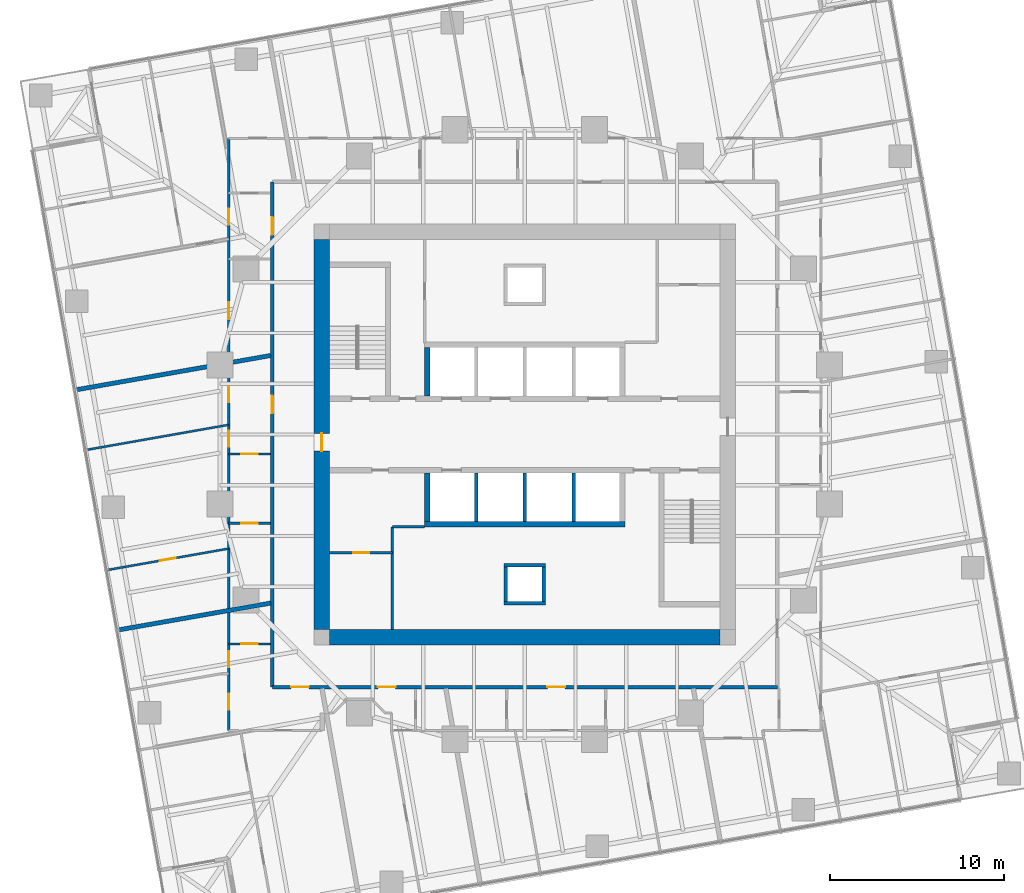
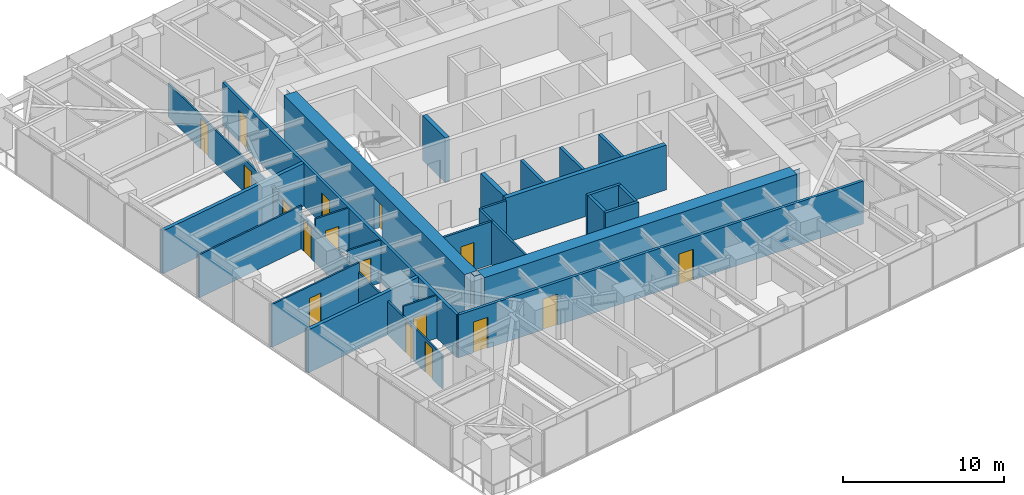
# One storey, part 9 of 14: 25 walls, 17 doors, 17 openings.
"""IFC4 building model written with IfcOpenShell, lengths in metres."""

from ifc_helpers import new_model, si_unit, direction, frame, frame_2d, origin, place, context, subcontext, project, spatial, polyline, rectangle, outline, extrude, material, layer, layer_set, type_object, element, fill, save


model = new_model("IFC4")

# Units and contexts
model_context = context("Model", 3, precision=1e-05, world=origin(), true_north=direction((0.0, 1.0)))
body_context = subcontext(model_context, "Body", "Model", "MODEL_VIEW")
ifc_project = project(units=[si_unit("LENGTHUNIT", "METRE"), si_unit("AREAUNIT", "SQUARE_METRE"), si_unit("VOLUMEUNIT", "CUBIC_METRE"), si_unit("PLANEANGLEUNIT", "RADIAN"), si_unit("MASSUNIT", "GRAM", prefix="KILO")], contexts=[model_context])

# Site, building, storey
site_placement = place(None, origin())
site = spatial("IfcSite", under=ifc_project, at=site_placement, CompositionType="ELEMENT")
building_placement = place(site_placement, origin())
building = spatial("IfcBuilding", under=site, at=building_placement, Name="Torsade Residences", CompositionType="ELEMENT")
storey_placement = place(building_placement, frame((0.0, 0.0, 82.800048828125)))
storey = spatial("IfcBuildingStorey", under=building, at=storey_placement, Name="L22", CompositionType="ELEMENT", Elevation=82.800048828125)

# Walls
ifc_material_1 = material(Name="Concrete 80 MPa", Category="concrete")
ifc_layer_1 = layer(ifc_material_1, 0.300048828125)
ifc_layer_set_1 = layer_set([ifc_layer_1], Name="Concrete 80 MPa")
wall_type_1 = type_object("IfcWallType", Name="CORE INTERNAL WALL 300", PredefinedType="SHEAR", material=ifc_layer_set_1)
wall_1_placement = place(storey_placement, frame((45.75, 24.85009765625, 0.0), z_axis=(0.0, 0.0, 1.0), x_axis=(-1.0, 0.0, 0.0)))
element("IfcWall", 1, at=wall_1_placement, inside=storey, type_object=wall_type_1, Name="Core wall BS L22", PredefinedType="SHEAR", context=body_context, shape_type="SweptSolid", body=[
    extrude(rectangle(XDim=11.5, YDim=0.300048828125, at=frame_2d((5.75, 0.0))), origin(), (0.0, 0.0, 1.0), 3.39990234375),
])
for number, where, z_axis, x_axis, name in (
    (2, (34.39990234375, 32.199951171875, 0.0), (0.0, 0.0, 1.0), (0.0, 1.0, 0.0), "Core wall DN0 L22"),
    (3, (34.39990234375, 27.800048828125, 0.0), (0.0, 0.0, 1.0), (0.0, -1.0, 0.0), "Core wall DS4 L22"),
):
    element("IfcWall", number, at=place(storey_placement, frame(where, z_axis=z_axis, x_axis=x_axis)), inside=storey, type_object=wall_type_1, Name=name, PredefinedType="SHEAR", context=body_context, shape_type="SweptSolid", body=[
        extrude(rectangle(XDim=2.800048828125, YDim=0.300048828125, at=frame_2d((1.39990234375, 0.0))), origin(), (0.0, 0.0, 1.0), 3.39990234375),
    ])
ifc_material_2 = material(Name="Concrete 80 MPa", Category="concrete")
ifc_layer_2 = layer(ifc_material_2, 0.89990234375)
ifc_layer_set_2 = layer_set([ifc_layer_2], Name="Concrete 80 MPa")
wall_type_2 = type_object("IfcWallType", Name="CORE WALL 900", PredefinedType="SHEAR", material=ifc_layer_set_2)
wall_2_placement = place(storey_placement, frame((51.199951171875, 18.35009765625, 0.0), z_axis=(0.0, 0.0, 1.0), x_axis=(-1.0, 0.0, 0.0)))
element("IfcWall", 4, at=wall_2_placement, inside=storey, type_object=wall_type_2, Name="Core wall S L22", PredefinedType="SHEAR", context=body_context, shape_type="SweptSolid", body=[
    extrude(outline(polyline([(0.0, -0.449951171875), (22.39990234375, -0.449951171875), (22.39990234375, -0.02490234375), (22.849853515625, -0.02490234375), (22.849853515625, 0.02490234375), (22.39990234375, 0.02490234375), (22.39990234375, 0.449951171875), (0.0, 0.449951171875), (0.0, 0.02490234375), (-0.449951171875, 0.02490234375), (-0.449951171875, -0.02490234375), (0.0, -0.02490234375), (0.0, -0.449951171875)])), origin(), (0.0, 0.0, 1.0), 3.39990234375),
])

# Wall, opening, door
wall_3_placement = place(storey_placement, frame((28.35009765625, 41.199951171875, 0.0), z_axis=(0.0, 0.0, 1.0), x_axis=(0.0, -1.0, 0.0)))
wall_3 = element("IfcWall", 5, at=wall_3_placement, inside=storey, type_object=wall_type_2, Name="Core wall W L22", PredefinedType="SHEAR", context=body_context, shape_type="SweptSolid", body=[
    extrude(outline(polyline([(0.0, -0.449951171875), (22.39990234375, -0.449951171875), (22.39990234375, -0.02490234375), (22.849853515625, -0.02490234375), (22.849853515625, 0.02490234375), (22.39990234375, 0.02490234375), (22.39990234375, 0.449951171875), (0.0, 0.449951171875), (0.0, 0.02490234375), (-0.449951171875, 0.02490234375), (-0.449951171875, -0.02490234375), (0.0, -0.02490234375), (0.0, -0.449951171875)])), origin(), (0.0, 0.0, 1.0), 3.39990234375),
])
opening_1_placement = place(wall_3_placement, frame((11.139892578125, 0.0, 0.0)))
opening_1 = element("IfcOpeningElement", 6, at=opening_1_placement, cuts=wall_3, Name="Opening D04", PredefinedType="OPENING", context=body_context, shape_type="SweptSolid", body=[
    extrude(rectangle(XDim=1.02001953125, YDim=2.39990234375, at=frame_2d((0.510009765625, 1.199951171875))), frame((0.0, 0.4599609375, 0.0), z_axis=(0.0, -1.0, 0.0), x_axis=(1.0, 0.0, 0.0)), (0.0, 0.0, 1.0), 0.919921875),
])
ifc_material_3 = material(Name="Steel-framed fire door", Category="steel")
door_type_1 = type_object("IfcDoorType", Name="LOBBY SMOKE DOOR 1020x2400", OperationType="NOTDEFINED", PredefinedType="DOOR", material=ifc_material_3)
door_1_placement = place(opening_1_placement, origin())
door_1 = element("IfcDoor", 7, at=door_1_placement, inside=storey, type_object=door_type_1, Name="Lift lobby door W L22", OperationType="SINGLE_SWING_RIGHT", OverallHeight=2.39990234375, OverallWidth=1.02001953125, PredefinedType="DOOR", context=body_context, shape_type="SweptSolid", body=[
    extrude(rectangle(XDim=1.02001953125, YDim=2.39990234375, at=frame_2d((0.510009765625, 1.199951171875))), frame((0.0, 0.02490234375, 0.0), z_axis=(0.0, -1.0, 0.0), x_axis=(1.0, 0.0, 0.0)), (0.0, 0.0, 1.0), 0.050048828125),
])
fill(opening_1, door_1)

# Wall, openings, doors
ifc_material_4 = material(Name="Plasterboard on steel stud", Category="steel")
ifc_layer_3 = layer(ifc_material_4, 0.199951171875)
ifc_layer_set_3 = layer_set([ifc_layer_3], Name="Plasterboard on steel stud")
wall_type_3 = type_object("IfcWallType", Name="CORRIDOR WALL 200", PredefinedType="PARTITIONING", material=ifc_layer_set_3)
wall_4_placement = place(storey_placement, frame((25.5, 15.5, 0.0), z_axis=(0.0, 0.0, 1.0), x_axis=(1.0, 0.0, 0.0)))
wall_4 = element("IfcWall", 8, at=wall_4_placement, inside=storey, type_object=wall_type_3, Name="Corridor wall L22", PredefinedType="PARTITIONING", context=body_context, shape_type="SweptSolid", body=[
    extrude(rectangle(XDim=29.0, YDim=0.199951171875, at=frame_2d((14.5, 0.0))), origin(), (0.0, 0.0, 1.0), 3.25),
])
opening_2_placement = place(wall_4_placement, frame((15.79443359375, 0.0, 0.0)))
opening_2 = element("IfcOpeningElement", 9, at=opening_2_placement, cuts=wall_4, Name="Opening D01", PredefinedType="OPENING", context=body_context, shape_type="SweptSolid", body=[
    extrude(rectangle(XDim=1.02001953125, YDim=2.340087890625, at=frame_2d((0.510009765625, 1.169921875))), frame((0.0, 0.10986328125, 0.0), z_axis=(0.0, -1.0, 0.0), x_axis=(1.0, 0.0, 0.0)), (0.0, 0.0, 1.0), 0.219970703125),
])
opening_3_placement = place(wall_4_placement, frame((6.0673828125, 0.0, 0.0)))
opening_3 = element("IfcOpeningElement", 10, at=opening_3_placement, cuts=wall_4, Name="Opening D01", PredefinedType="OPENING", context=body_context, shape_type="SweptSolid", body=[
    extrude(rectangle(XDim=1.02001953125, YDim=2.340087890625, at=frame_2d((0.510009765625, 1.169921875))), frame((0.0, 0.10986328125, 0.0), z_axis=(0.0, -1.0, 0.0), x_axis=(1.0, 0.0, 0.0)), (0.0, 0.0, 1.0), 0.219970703125),
])
opening_4_placement = place(wall_4_placement, frame((1.07861328125, 0.0, 0.0)))
opening_4 = element("IfcOpeningElement", 11, at=opening_4_placement, cuts=wall_4, Name="Opening D01", PredefinedType="OPENING", context=body_context, shape_type="SweptSolid", body=[
    extrude(rectangle(XDim=1.02001953125, YDim=2.340087890625, at=frame_2d((0.510009765625, 1.169921875))), frame((0.0, 0.10986328125, 0.0), z_axis=(0.0, -1.0, 0.0), x_axis=(1.0, 0.0, 0.0)), (0.0, 0.0, 1.0), 0.219970703125),
])
ifc_material_5 = material(Name="Solid-core timber fire door", Category="wood")
door_type_2 = type_object("IfcDoorType", Name="APARTMENT ENTRY DOOR 1020x2340", OperationType="NOTDEFINED", PredefinedType="DOOR", material=ifc_material_5)
door_2_placement = place(opening_2_placement, origin())
door_2 = element("IfcDoor", 12, at=door_2_placement, inside=storey, type_object=door_type_2, Name="Door Residential corridor to Kitchen and dining", OperationType="SINGLE_SWING_LEFT", OverallHeight=2.340087890625, OverallWidth=1.02001953125, PredefinedType="DOOR", context=body_context, shape_type="SweptSolid", body=[
    extrude(rectangle(XDim=1.02001953125, YDim=2.340087890625, at=frame_2d((0.510009765625, 1.169921875))), frame((0.0, 0.02490234375, 0.0), z_axis=(0.0, -1.0, 0.0), x_axis=(1.0, 0.0, 0.0)), (0.0, 0.0, 1.0), 0.050048828125),
])
fill(opening_2, door_2)
door_3_placement = place(opening_3_placement, origin())
door_3 = element("IfcDoor", 13, at=door_3_placement, inside=storey, type_object=door_type_2, Name="Door Residential corridor to Kitchen and dining", OperationType="SINGLE_SWING_RIGHT", OverallHeight=2.340087890625, OverallWidth=1.02001953125, PredefinedType="DOOR", context=body_context, shape_type="SweptSolid", body=[
    extrude(rectangle(XDim=1.02001953125, YDim=2.340087890625, at=frame_2d((0.510009765625, 1.169921875))), frame((0.0, 0.02490234375, 0.0), z_axis=(0.0, -1.0, 0.0), x_axis=(1.0, 0.0, 0.0)), (0.0, 0.0, 1.0), 0.050048828125),
])
fill(opening_3, door_3)
door_4_placement = place(opening_4_placement, origin())
door_4 = element("IfcDoor", 14, at=door_4_placement, inside=storey, type_object=door_type_2, Name="Door Residential corridor to Kitchen and dining", OperationType="SINGLE_SWING_LEFT", OverallHeight=2.340087890625, OverallWidth=1.02001953125, PredefinedType="DOOR", context=body_context, shape_type="SweptSolid", body=[
    extrude(rectangle(XDim=1.02001953125, YDim=2.340087890625, at=frame_2d((0.510009765625, 1.169921875))), frame((0.0, 0.02490234375, 0.0), z_axis=(0.0, -1.0, 0.0), x_axis=(1.0, 0.0, 0.0)), (0.0, 0.0, 1.0), 0.050048828125),
])
fill(opening_4, door_4)

wall_5_placement = place(storey_placement, frame((25.5, 44.5, 0.0), z_axis=(0.0, 0.0, 1.0), x_axis=(0.0, -1.0, 0.0)))
wall_5 = element("IfcWall", 15, at=wall_5_placement, inside=storey, type_object=wall_type_3, Name="Corridor wall L22", PredefinedType="PARTITIONING", context=body_context, shape_type="SweptSolid", body=[
    extrude(rectangle(XDim=29.0, YDim=0.199951171875, at=frame_2d((14.5, 0.0))), origin(), (0.0, 0.0, 1.0), 3.25),
])
opening_5_placement = place(wall_5_placement, frame((12.262939453125, 0.0, 0.0)))
opening_5 = element("IfcOpeningElement", 16, at=opening_5_placement, cuts=wall_5, Name="Opening D01", PredefinedType="OPENING", context=body_context, shape_type="SweptSolid", body=[
    extrude(rectangle(XDim=1.02001953125, YDim=2.340087890625, at=frame_2d((0.510009765625, 1.169921875))), frame((0.0, 0.10986328125, 0.0), z_axis=(0.0, -1.0, 0.0), x_axis=(1.0, 0.0, 0.0)), (0.0, 0.0, 1.0), 0.219970703125),
])
opening_6_placement = place(wall_5_placement, frame((2.01806640625, 0.0, 0.0)))
opening_6 = element("IfcOpeningElement", 17, at=opening_6_placement, cuts=wall_5, Name="Opening D01", PredefinedType="OPENING", context=body_context, shape_type="SweptSolid", body=[
    extrude(rectangle(XDim=1.02001953125, YDim=2.340087890625, at=frame_2d((0.510009765625, 1.169921875))), frame((0.0, 0.10986328125, 0.0), z_axis=(0.0, -1.0, 0.0), x_axis=(1.0, 0.0, 0.0)), (0.0, 0.0, 1.0), 0.219970703125),
])
door_5_placement = place(opening_5_placement, origin())
door_5 = element("IfcDoor", 18, at=door_5_placement, inside=storey, type_object=door_type_2, Name="Door Residential corridor to Kitchen and dining", OperationType="SINGLE_SWING_RIGHT", OverallHeight=2.340087890625, OverallWidth=1.02001953125, PredefinedType="DOOR", context=body_context, shape_type="SweptSolid", body=[
    extrude(rectangle(XDim=1.02001953125, YDim=2.340087890625, at=frame_2d((0.510009765625, 1.169921875))), frame((0.0, 0.02490234375, 0.0), z_axis=(0.0, -1.0, 0.0), x_axis=(1.0, 0.0, 0.0)), (0.0, 0.0, 1.0), 0.050048828125),
])
fill(opening_5, door_5)
door_6_placement = place(opening_6_placement, origin())
door_6 = element("IfcDoor", 19, at=door_6_placement, inside=storey, type_object=door_type_2, Name="Door Residential corridor to Kitchen and dining", OperationType="SINGLE_SWING_LEFT", OverallHeight=2.340087890625, OverallWidth=1.02001953125, PredefinedType="DOOR", context=body_context, shape_type="SweptSolid", body=[
    extrude(rectangle(XDim=1.02001953125, YDim=2.340087890625, at=frame_2d((0.510009765625, 1.169921875))), frame((0.0, 0.02490234375, 0.0), z_axis=(0.0, -1.0, 0.0), x_axis=(1.0, 0.0, 0.0)), (0.0, 0.0, 1.0), 0.050048828125),
])
fill(opening_6, door_6)

# Walls
ifc_material_6 = material(Name="Reinforced blockwork", Category="masonry")
ifc_layer_4 = layer(ifc_material_6, 0.199951171875)
ifc_layer_set_4 = layer_set([ifc_layer_4], Name="Reinforced blockwork")
wall_type_4 = type_object("IfcWallType", Name="LIFT SHAFT DIVIDING WALL 200", PredefinedType="SOLIDWALL", material=ifc_layer_set_4)
for number, where, z_axis, x_axis, name in (
    (20, (42.800048828125, 27.800048828125, 0.0), (0.0, 0.0, 1.0), (0.0, -1.0, 0.0), "Core wall DS1 L22"),
    (21, (40.0, 27.800048828125, 0.0), (0.0, 0.0, 1.0), (0.0, -1.0, 0.0), "Core wall DS2 L22"),
    (22, (37.199951171875, 27.800048828125, 0.0), (0.0, 0.0, 1.0), (0.0, -1.0, 0.0), "Core wall DS3 L22"),
):
    element("IfcWall", number, at=place(storey_placement, frame(where, z_axis=z_axis, x_axis=x_axis)), inside=storey, type_object=wall_type_4, Name=name, PredefinedType="SOLIDWALL", context=body_context, shape_type="SweptSolid", body=[
        extrude(rectangle(XDim=2.800048828125, YDim=0.199951171875, at=frame_2d((1.39990234375, 0.0))), origin(), (0.0, 0.0, 1.0), 3.39990234375),
    ])

# Wall, opening, door
ifc_material_7 = material(Name="Plasterboard on steel stud", Category="steel")
ifc_layer_5 = layer(ifc_material_7, 0.1201171875)
ifc_layer_set_5 = layer_set([ifc_layer_5], Name="Plasterboard on steel stud")
wall_type_5 = type_object("IfcWallType", Name="PARTITION 120", PredefinedType="PARTITIONING", material=ifc_layer_set_5)
wall_6_placement = place(storey_placement, frame((25.39990234375, 28.881591796875, 0.0), z_axis=(0.0, 0.0, 1.0), x_axis=(-1.0, 0.0, 0.0)))
wall_6 = element("IfcWall", 23, at=wall_6_placement, inside=storey, type_object=wall_type_5, Name="Partition L22", PredefinedType="PARTITIONING", context=body_context, shape_type="SweptSolid", body=[
    extrude(rectangle(XDim=2.39990234375, YDim=0.1201171875, at=frame_2d((1.199951171875, 0.0))), origin(), (0.0, 0.0, 1.0), 3.25),
])
opening_7_placement = place(wall_6_placement, frame((0.719970703125, 0.0, 0.0)))
opening_7 = element("IfcOpeningElement", 24, at=opening_7_placement, cuts=wall_6, Name="Opening D05", PredefinedType="OPENING", context=body_context, shape_type="SweptSolid", body=[
    extrude(rectangle(XDim=0.9599609375, YDim=2.10009765625, at=frame_2d((0.47998046875, 1.050048828125))), frame((0.0, 0.070068359375, 0.0), z_axis=(0.0, -1.0, 0.0), x_axis=(1.0, 0.0, 0.0)), (0.0, 0.0, 1.0), 0.14013671875),
])
ifc_material_8 = material(Name="Hollow-core timber door in a steel cavity frame", Category="steel")
door_type_3 = type_object("IfcDoorType", Name="BATHROOM CAVITY SLIDING DOOR 960", OperationType="SLIDING_TO_LEFT", PredefinedType="DOOR", material=ifc_material_8)
door_7_placement = place(opening_7_placement, origin())
door_7 = element("IfcDoor", 25, at=door_7_placement, inside=storey, type_object=door_type_3, Name="Door Kitchen and dining to Ensuite", OperationType="SLIDING_TO_LEFT", OverallHeight=2.10009765625, OverallWidth=0.9599609375, PredefinedType="DOOR", context=body_context, shape_type="SweptSolid", body=[
    extrude(rectangle(XDim=0.9599609375, YDim=2.10009765625, at=frame_2d((0.47998046875, 1.050048828125))), frame((0.0, 0.02490234375, 0.0), z_axis=(0.0, -1.0, 0.0), x_axis=(1.0, 0.0, 0.0)), (0.0, 0.0, 1.0), 0.050048828125),
])
fill(opening_7, door_7)

# Wall, openings, doors
wall_7_placement = place(storey_placement, frame((23.0, 13.0, 0.0), z_axis=(0.0, 0.0, 1.0), x_axis=(0.0, 1.0, 0.0)))
wall_7 = element("IfcWall", 26, at=wall_7_placement, inside=storey, type_object=wall_type_5, Name="Partition L22", PredefinedType="PARTITIONING", context=body_context, shape_type="SweptSolid", body=[
    extrude(rectangle(XDim=34.0, YDim=0.1201171875, at=frame_2d((17.0, 0.0))), origin(), (0.0, 0.0, 1.0), 2.550048828125),
])
opening_8_placement = place(wall_7_placement, frame((18.84814453125, 0.0, 0.0)))
opening_8 = element("IfcOpeningElement", 27, at=opening_8_placement, cuts=wall_7, Name="Opening D02", PredefinedType="OPENING", context=body_context, shape_type="SweptSolid", body=[
    extrude(rectangle(XDim=0.919921875, YDim=2.340087890625, at=frame_2d((0.4599609375, 1.169921875))), frame((0.0, 0.070068359375, 0.0), z_axis=(0.0, -1.0, 0.0), x_axis=(1.0, 0.0, 0.0)), (0.0, 0.0, 1.0), 0.14013671875),
])
opening_9_placement = place(wall_7_placement, frame((16.284423828125, 0.0, 0.0)))
opening_9 = element("IfcOpeningElement", 28, at=opening_9_placement, cuts=wall_7, Name="Opening D02", PredefinedType="OPENING", context=body_context, shape_type="SweptSolid", body=[
    extrude(rectangle(XDim=0.919921875, YDim=2.340087890625, at=frame_2d((0.4599609375, 1.169921875))), frame((0.0, 0.070068359375, 0.0), z_axis=(0.0, -1.0, 0.0), x_axis=(1.0, 0.0, 0.0)), (0.0, 0.0, 1.0), 0.14013671875),
])
opening_10_placement = place(wall_7_placement, frame((29.0517578125, 0.0, 0.0)))
opening_10 = element("IfcOpeningElement", 29, at=opening_10_placement, cuts=wall_7, Name="Opening D02", PredefinedType="OPENING", context=body_context, shape_type="SweptSolid", body=[
    extrude(rectangle(XDim=0.919921875, YDim=2.340087890625, at=frame_2d((0.4599609375, 1.169921875))), frame((0.0, 0.070068359375, 0.0), z_axis=(0.0, -1.0, 0.0), x_axis=(1.0, 0.0, 0.0)), (0.0, 0.0, 1.0), 0.14013671875),
])
opening_11_placement = place(wall_7_placement, frame((1.195556640625, 0.0, 0.0)))
opening_11 = element("IfcOpeningElement", 30, at=opening_11_placement, cuts=wall_7, Name="Opening D02", PredefinedType="OPENING", context=body_context, shape_type="SweptSolid", body=[
    extrude(rectangle(XDim=0.919921875, YDim=2.340087890625, at=frame_2d((0.4599609375, 1.169921875))), frame((0.0, 0.070068359375, 0.0), z_axis=(0.0, -1.0, 0.0), x_axis=(1.0, 0.0, 0.0)), (0.0, 0.0, 1.0), 0.14013671875),
])
opening_12_placement = place(wall_7_placement, frame((3.6328125, 0.0, 0.0)))
opening_12 = element("IfcOpeningElement", 31, at=opening_12_placement, cuts=wall_7, Name="Opening D02", PredefinedType="OPENING", context=body_context, shape_type="SweptSolid", body=[
    extrude(rectangle(XDim=0.919921875, YDim=2.340087890625, at=frame_2d((0.4599609375, 1.169921875))), frame((0.0, 0.070068359375, 0.0), z_axis=(0.0, -1.0, 0.0), x_axis=(1.0, 0.0, 0.0)), (0.0, 0.0, 1.0), 0.14013671875),
])
opening_13_placement = place(wall_7_placement, frame((23.619140625, 0.0, 0.0)))
opening_13 = element("IfcOpeningElement", 32, at=opening_13_placement, cuts=wall_7, Name="Opening D05", PredefinedType="OPENING", context=body_context, shape_type="SweptSolid", body=[
    extrude(rectangle(XDim=0.9599609375, YDim=2.10009765625, at=frame_2d((0.47998046875, 1.050048828125))), frame((0.0, 0.070068359375, 0.0), z_axis=(0.0, -1.0, 0.0), x_axis=(1.0, 0.0, 0.0)), (0.0, 0.0, 1.0), 0.14013671875),
])
door_8_placement = place(opening_13_placement, origin())
door_8 = element("IfcDoor", 33, at=door_8_placement, inside=storey, type_object=door_type_3, Name="Door Living room to Bathroom", OperationType="SLIDING_TO_LEFT", OverallHeight=2.10009765625, OverallWidth=0.9599609375, PredefinedType="DOOR", context=body_context, shape_type="SweptSolid", body=[
    extrude(rectangle(XDim=0.9599609375, YDim=2.10009765625, at=frame_2d((0.47998046875, 1.050048828125))), frame((0.0, 0.02490234375, 0.0), z_axis=(0.0, -1.0, 0.0), x_axis=(1.0, 0.0, 0.0)), (0.0, 0.0, 1.0), 0.050048828125),
])
fill(opening_13, door_8)
ifc_material_9 = material(Name="Hollow-core timber door", Category="wood")
door_type_4 = type_object("IfcDoorType", Name="INTERNAL DOOR 920x2340", OperationType="NOTDEFINED", PredefinedType="DOOR", material=ifc_material_9)
door_9_placement = place(opening_8_placement, origin())
door_9 = element("IfcDoor", 34, at=door_9_placement, inside=storey, type_object=door_type_4, Name="Door Kitchen and dining to Bedroom 1", OperationType="SINGLE_SWING_RIGHT", OverallHeight=2.340087890625, OverallWidth=0.919921875, PredefinedType="DOOR", context=body_context, shape_type="SweptSolid", body=[
    extrude(rectangle(XDim=0.919921875, YDim=2.340087890625, at=frame_2d((0.4599609375, 1.169921875))), frame((0.0, 0.02490234375, 0.0), z_axis=(0.0, -1.0, 0.0), x_axis=(1.0, 0.0, 0.0)), (0.0, 0.0, 1.0), 0.050048828125),
])
fill(opening_8, door_9)
door_10_placement = place(opening_9_placement, origin())
door_10 = element("IfcDoor", 35, at=door_10_placement, inside=storey, type_object=door_type_4, Name="Door Kitchen and dining to Living room", OperationType="SINGLE_SWING_RIGHT", OverallHeight=2.340087890625, OverallWidth=0.919921875, PredefinedType="DOOR", context=body_context, shape_type="SweptSolid", body=[
    extrude(rectangle(XDim=0.919921875, YDim=2.340087890625, at=frame_2d((0.4599609375, 1.169921875))), frame((0.0, 0.02490234375, 0.0), z_axis=(0.0, -1.0, 0.0), x_axis=(1.0, 0.0, 0.0)), (0.0, 0.0, 1.0), 0.050048828125),
])
fill(opening_9, door_10)
door_11_placement = place(opening_10_placement, origin())
door_11 = element("IfcDoor", 36, at=door_11_placement, inside=storey, type_object=door_type_4, Name="Door Kitchen and dining to Bedroom 1", OperationType="SINGLE_SWING_LEFT", OverallHeight=2.340087890625, OverallWidth=0.919921875, PredefinedType="DOOR", context=body_context, shape_type="SweptSolid", body=[
    extrude(rectangle(XDim=0.919921875, YDim=2.340087890625, at=frame_2d((0.4599609375, 1.169921875))), frame((0.0, 0.02490234375, 0.0), z_axis=(0.0, -1.0, 0.0), x_axis=(1.0, 0.0, 0.0)), (0.0, 0.0, 1.0), 0.050048828125),
])
fill(opening_10, door_11)
door_12_placement = place(opening_11_placement, origin())
door_12 = element("IfcDoor", 37, at=door_12_placement, inside=storey, type_object=door_type_4, Name="Door Kitchen and dining to Family room", OperationType="SINGLE_SWING_RIGHT", OverallHeight=2.340087890625, OverallWidth=0.919921875, PredefinedType="DOOR", context=body_context, shape_type="SweptSolid", body=[
    extrude(rectangle(XDim=0.919921875, YDim=2.340087890625, at=frame_2d((0.4599609375, 1.169921875))), frame((0.0, 0.02490234375, 0.0), z_axis=(0.0, -1.0, 0.0), x_axis=(1.0, 0.0, 0.0)), (0.0, 0.0, 1.0), 0.050048828125),
])
fill(opening_11, door_12)
door_13_placement = place(opening_12_placement, origin())
door_13 = element("IfcDoor", 38, at=door_13_placement, inside=storey, type_object=door_type_4, Name="Door Kitchen and dining to Bedroom 2", OperationType="SINGLE_SWING_LEFT", OverallHeight=2.340087890625, OverallWidth=0.919921875, PredefinedType="DOOR", context=body_context, shape_type="SweptSolid", body=[
    extrude(rectangle(XDim=0.919921875, YDim=2.340087890625, at=frame_2d((0.4599609375, 1.169921875))), frame((0.0, 0.02490234375, 0.0), z_axis=(0.0, -1.0, 0.0), x_axis=(1.0, 0.0, 0.0)), (0.0, 0.0, 1.0), 0.050048828125),
])
fill(opening_12, door_13)

# Wall, opening, door
wall_8_placement = place(storey_placement, frame((23.0, 24.90478515625, 0.0), z_axis=(0.0, 0.0, 1.0), x_axis=(1.0, 0.0, 0.0)))
wall_8 = element("IfcWall", 39, at=wall_8_placement, inside=storey, type_object=wall_type_5, Name="Partition L22", PredefinedType="PARTITIONING", context=body_context, shape_type="SweptSolid", body=[
    extrude(rectangle(XDim=2.39990234375, YDim=0.1201171875, at=frame_2d((1.199951171875, 0.0))), origin(), (0.0, 0.0, 1.0), 3.25),
])
opening_14_placement = place(wall_8_placement, frame((0.719970703125, 0.0, 0.0)))
opening_14 = element("IfcOpeningElement", 40, at=opening_14_placement, cuts=wall_8, Name="Opening D05", PredefinedType="OPENING", context=body_context, shape_type="SweptSolid", body=[
    extrude(rectangle(XDim=0.9599609375, YDim=2.10009765625, at=frame_2d((0.47998046875, 1.050048828125))), frame((0.0, 0.070068359375, 0.0), z_axis=(0.0, -1.0, 0.0), x_axis=(1.0, 0.0, 0.0)), (0.0, 0.0, 1.0), 0.14013671875),
])
door_14_placement = place(opening_14_placement, origin())
door_14 = element("IfcDoor", 41, at=door_14_placement, inside=storey, type_object=door_type_3, Name="Door Ensuite to Bathroom", OperationType="SLIDING_TO_LEFT", OverallHeight=2.10009765625, OverallWidth=0.9599609375, PredefinedType="DOOR", context=body_context, shape_type="SweptSolid", body=[
    extrude(rectangle(XDim=0.9599609375, YDim=2.10009765625, at=frame_2d((0.47998046875, 1.050048828125))), frame((0.0, 0.02490234375, 0.0), z_axis=(0.0, -1.0, 0.0), x_axis=(1.0, 0.0, 0.0)), (0.0, 0.0, 1.0), 0.050048828125),
])
fill(opening_14, door_14)

# Wall
wall_9_placement = place(storey_placement, frame((14.8115234375, 29.112548828125, 0.0), z_axis=(0.0, 0.0, 1.0), x_axis=(0.984807787824, 0.173647980238, 0.0)))
element("IfcWall", 42, at=wall_9_placement, inside=storey, type_object=wall_type_5, Name="Partition L22", PredefinedType="PARTITIONING", context=body_context, shape_type="SweptSolid", body=[
    extrude(rectangle(XDim=8.314697265625, YDim=0.1201171875, at=frame_2d((4.1572265625, 0.0))), origin(), (0.0, 0.0, 1.0), 3.25),
])

# Wall, opening, door
wall_10_placement = place(storey_placement, frame((23.0, 23.448486328125, 0.0), z_axis=(0.0, 0.0, 1.0), x_axis=(-0.984809234282, -0.173639776761, 0.0)))
wall_10 = element("IfcWall", 43, at=wall_10_placement, inside=storey, type_object=wall_type_5, Name="Partition L22", PredefinedType="PARTITIONING", context=body_context, shape_type="SweptSolid", body=[
    extrude(rectangle(XDim=7.080810546875, YDim=0.1201171875, at=frame_2d((3.54052734375, 0.0))), origin(), (0.0, 0.0, 1.0), 3.25),
])
opening_15_placement = place(wall_10_placement, frame((3.100341796875, 0.0, 0.0)))
opening_15 = element("IfcOpeningElement", 44, at=opening_15_placement, cuts=wall_10, Name="Opening D02", PredefinedType="OPENING", context=body_context, shape_type="SweptSolid", body=[
    extrude(rectangle(XDim=0.919921875, YDim=2.340087890625, at=frame_2d((0.4599609375, 1.169921875))), frame((0.0, 0.070068359375, 0.0), z_axis=(0.0, -1.0, 0.0), x_axis=(1.0, 0.0, 0.0)), (0.0, 0.0, 1.0), 0.14013671875),
])
door_15_placement = place(opening_15_placement, origin())
door_15 = element("IfcDoor", 45, at=door_15_placement, inside=storey, type_object=door_type_4, Name="Door Living room to Bedroom 2", OperationType="SINGLE_SWING_LEFT", OverallHeight=2.340087890625, OverallWidth=0.919921875, PredefinedType="DOOR", context=body_context, shape_type="SweptSolid", body=[
    extrude(rectangle(XDim=0.919921875, YDim=2.340087890625, at=frame_2d((0.4599609375, 1.169921875))), frame((0.0, 0.02490234375, 0.0), z_axis=(0.0, -1.0, 0.0), x_axis=(1.0, 0.0, 0.0)), (0.0, 0.0, 1.0), 0.050048828125),
])
fill(opening_15, door_15)

wall_11_placement = place(storey_placement, frame((23.0, 17.974609375, 0.0), z_axis=(0.0, 0.0, 1.0), x_axis=(1.0, 0.0, 0.0)))
wall_11 = element("IfcWall", 46, at=wall_11_placement, inside=storey, type_object=wall_type_5, Name="Partition L22", PredefinedType="PARTITIONING", context=body_context, shape_type="SweptSolid", body=[
    extrude(rectangle(XDim=2.39990234375, YDim=0.1201171875, at=frame_2d((1.199951171875, 0.0))), origin(), (0.0, 0.0, 1.0), 3.25),
])
opening_16_placement = place(wall_11_placement, frame((0.719970703125, 0.0, 0.0)))
opening_16 = element("IfcOpeningElement", 47, at=opening_16_placement, cuts=wall_11, Name="Opening D05", PredefinedType="OPENING", context=body_context, shape_type="SweptSolid", body=[
    extrude(rectangle(XDim=0.9599609375, YDim=2.10009765625, at=frame_2d((0.47998046875, 1.050048828125))), frame((0.0, 0.070068359375, 0.0), z_axis=(0.0, -1.0, 0.0), x_axis=(1.0, 0.0, 0.0)), (0.0, 0.0, 1.0), 0.14013671875),
])
door_16_placement = place(opening_16_placement, origin())
door_16 = element("IfcDoor", 48, at=door_16_placement, inside=storey, type_object=door_type_3, Name="Door Kitchen and dining to Bathroom", OperationType="SLIDING_TO_LEFT", OverallHeight=2.10009765625, OverallWidth=0.9599609375, PredefinedType="DOOR", context=body_context, shape_type="SweptSolid", body=[
    extrude(rectangle(XDim=0.9599609375, YDim=2.10009765625, at=frame_2d((0.47998046875, 1.050048828125))), frame((0.0, 0.02490234375, 0.0), z_axis=(0.0, -1.0, 0.0), x_axis=(1.0, 0.0, 0.0)), (0.0, 0.0, 1.0), 0.050048828125),
])
fill(opening_16, door_16)

# Walls
ifc_material_10 = material(Name="Masonry-lined stud party wall", Category="masonry")
ifc_layer_6 = layer(ifc_material_10, 0.25)
ifc_layer_set_6 = layer_set([ifc_layer_6], Name="Masonry-lined stud party wall")
wall_type_6 = type_object("IfcWallType", Name="PARTY WALL 250", PredefinedType="PARTITIONING", material=ifc_layer_set_6)
wall_12_placement = place(storey_placement, frame((14.164306640625, 32.552490234375, 0.0), z_axis=(0.0, 0.0, 1.0), x_axis=(0.98481000304, 0.173635416642, 0.0)))
element("IfcWall", 49, at=wall_12_placement, inside=storey, type_object=wall_type_6, Name="Party wall L22", PredefinedType="PARTITIONING", context=body_context, shape_type="SweptSolid", body=[
    extrude(rectangle(XDim=11.427001953125, YDim=0.25, at=frame_2d((5.71337890625, 0.0))), origin(), (0.0, 0.0, 1.0), 3.25),
])
wall_13_placement = place(storey_placement, frame((16.595458984375, 18.76513671875, 0.0), z_axis=(0.0, 0.0, 1.0), x_axis=(0.984806596137, 0.173654738504, 0.0)))
element("IfcWall", 50, at=wall_13_placement, inside=storey, type_object=wall_type_6, Name="Party wall L22", PredefinedType="PARTITIONING", context=body_context, shape_type="SweptSolid", body=[
    extrude(rectangle(XDim=8.958251953125, YDim=0.25, at=frame_2d((4.47900390625, 0.0))), origin(), (0.0, 0.0, 1.0), 3.25),
])
ifc_material_11 = material(Name="Reinforced blockwork", Category="masonry")
ifc_layer_7 = layer(ifc_material_11, 0.199951171875)
ifc_layer_set_7 = layer_set([ifc_layer_7], Name="Reinforced blockwork")
wall_type_7 = type_object("IfcWallType", Name="RISER SHAFT WALL 200", PredefinedType="SOLIDWALL", material=ifc_layer_set_7)
for number, where, z_axis, x_axis, name in (
    (51, (38.89990234375, 22.39990234375, 0.0), (0.0, 0.0, 1.0), (0.0, -1.0, 0.0), "Core wall RS2a L22"),
    (52, (41.10009765625, 22.39990234375, 0.0), (0.0, 0.0, 1.0), (0.0, -1.0, 0.0), "Core wall RS2b L22"),
):
    element("IfcWall", number, at=place(storey_placement, frame(where, z_axis=z_axis, x_axis=x_axis)), inside=storey, type_object=wall_type_7, Name=name, PredefinedType="SOLIDWALL", context=body_context, shape_type="SweptSolid", body=[
        extrude(rectangle(XDim=2.0, YDim=0.199951171875, at=frame_2d((1.0, 0.0))), origin(), (0.0, 0.0, 1.0), 3.39990234375),
    ])
for number, where, z_axis, x_axis, name in (
    (53, (38.800048828125, 22.5, 0.0), (0.0, 0.0, 1.0), (1.0, 0.0, 0.0), "Core wall RS2c L22"),
    (54, (38.800048828125, 20.300048828125, 0.0), (0.0, 0.0, 1.0), (1.0, 0.0, 0.0), "Core wall RS2d L22"),
):
    element("IfcWall", number, at=place(storey_placement, frame(where, z_axis=z_axis, x_axis=x_axis)), inside=storey, type_object=wall_type_7, Name=name, PredefinedType="SOLIDWALL", context=body_context, shape_type="SweptSolid", body=[
        extrude(rectangle(XDim=2.39990234375, YDim=0.199951171875, at=frame_2d((1.199951171875, 0.0))), origin(), (0.0, 0.0, 1.0), 3.39990234375),
    ])
ifc_material_12 = material(Name="Reinforced blockwork", Category="masonry")
ifc_layer_8 = layer(ifc_material_12, 0.14990234375)
ifc_layer_set_8 = layer_set([ifc_layer_8], Name="Reinforced blockwork")
wall_type_8 = type_object("IfcWallType", Name="SERVICE ROOM WALL 150", PredefinedType="SOLIDWALL", material=ifc_layer_set_8)
wall_14_placement = place(storey_placement, frame((32.39990234375, 18.800048828125, 0.0), z_axis=(0.0, 0.0, 1.0), x_axis=(0.0, 1.0, 0.0)))
element("IfcWall", 55, at=wall_14_placement, inside=storey, type_object=wall_type_8, Name="Service room wall L22", PredefinedType="SOLIDWALL", context=body_context, shape_type="SweptSolid", body=[
    extrude(rectangle(XDim=5.89990234375, YDim=0.14990234375, at=frame_2d((2.949951171875, 0.0))), origin(), (0.0, 0.0, 1.0), 3.25),
])
wall_15_placement = place(storey_placement, frame((32.39990234375, 24.699951171875, 0.0), z_axis=(0.0, 0.0, 1.0), x_axis=(1.0, 0.0, 0.0)))
element("IfcWall", 56, at=wall_15_placement, inside=storey, type_object=wall_type_8, Name="Service room wall L22", PredefinedType="SOLIDWALL", context=body_context, shape_type="SweptSolid", body=[
    extrude(rectangle(XDim=1.85009765625, YDim=0.14990234375, at=frame_2d((0.925048828125, 0.0))), origin(), (0.0, 0.0, 1.0), 3.25),
])

# Wall, opening, door
wall_16_placement = place(storey_placement, frame((32.39990234375, 23.199951171875, 0.0), z_axis=(0.0, 0.0, 1.0), x_axis=(-1.0, 0.0, 0.0)))
wall_16 = element("IfcWall", 57, at=wall_16_placement, inside=storey, type_object=wall_type_8, Name="Service room wall L22", PredefinedType="SOLIDWALL", context=body_context, shape_type="SweptSolid", body=[
    extrude(rectangle(XDim=3.599853515625, YDim=0.14990234375, at=frame_2d((1.7998046875, 0.0))), origin(), (0.0, 0.0, 1.0), 3.25),
])
opening_17_placement = place(wall_16_placement, frame((1.340087890625, 0.0, 0.0)))
opening_17 = element("IfcOpeningElement", 58, at=opening_17_placement, cuts=wall_16, Name="Opening D06", PredefinedType="OPENING", context=body_context, shape_type="SweptSolid", body=[
    extrude(rectangle(XDim=0.919921875, YDim=2.10009765625, at=frame_2d((0.4599609375, 1.050048828125))), frame((0.0, 0.0849609375, 0.0), z_axis=(0.0, -1.0, 0.0), x_axis=(1.0, 0.0, 0.0)), (0.0, 0.0, 1.0), 0.169921875),
])
ifc_material_13 = material(Name="Steel-framed fire door", Category="steel")
door_type_5 = type_object("IfcDoorType", Name="FIRE DOOR 920", OperationType="NOTDEFINED", PredefinedType="DOOR", material=ifc_material_13)
door_17_placement = place(opening_17_placement, origin())
door_17 = element("IfcDoor", 59, at=door_17_placement, inside=storey, type_object=door_type_5, Name="Door Cleaner store to Building store", OperationType="SINGLE_SWING_LEFT", OverallHeight=2.10009765625, OverallWidth=0.919921875, PredefinedType="DOOR", context=body_context, shape_type="SweptSolid", body=[
    extrude(rectangle(XDim=0.919921875, YDim=2.10009765625, at=frame_2d((0.4599609375, 1.050048828125))), frame((0.0, 0.02490234375, 0.0), z_axis=(0.0, -1.0, 0.0), x_axis=(1.0, 0.0, 0.0)), (0.0, 0.0, 1.0), 0.050048828125),
])
fill(opening_17, door_17)

save(model, "model.ifc")
